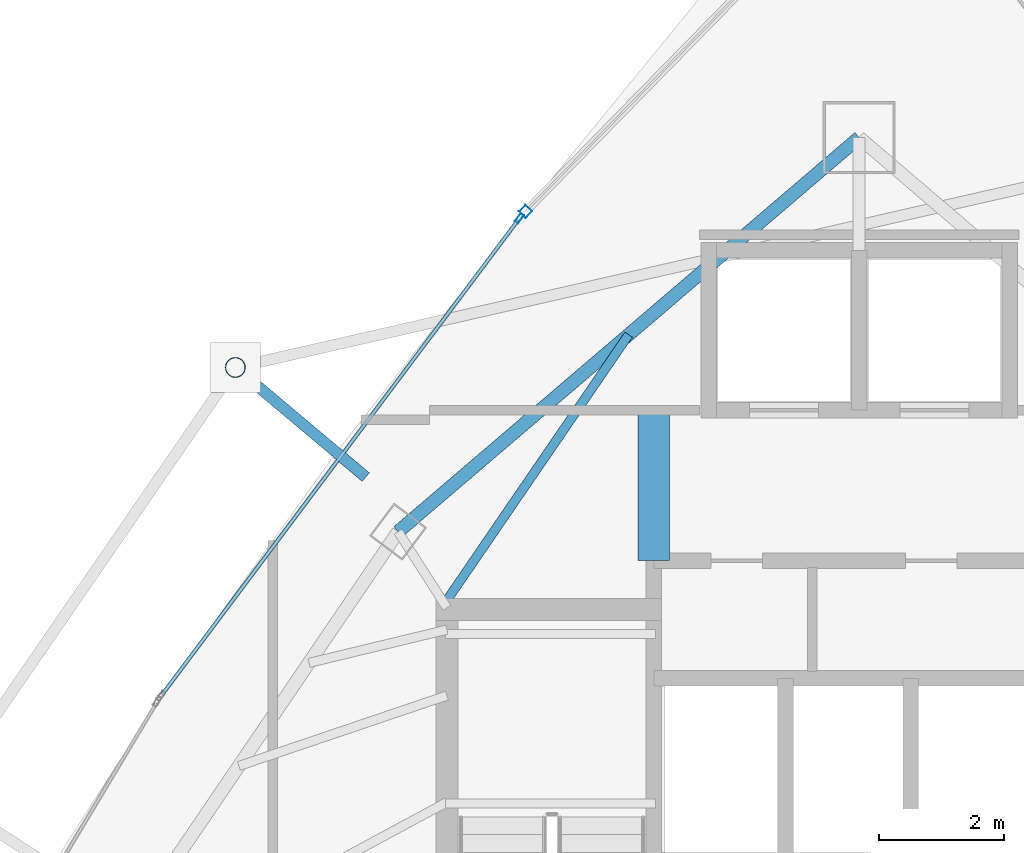
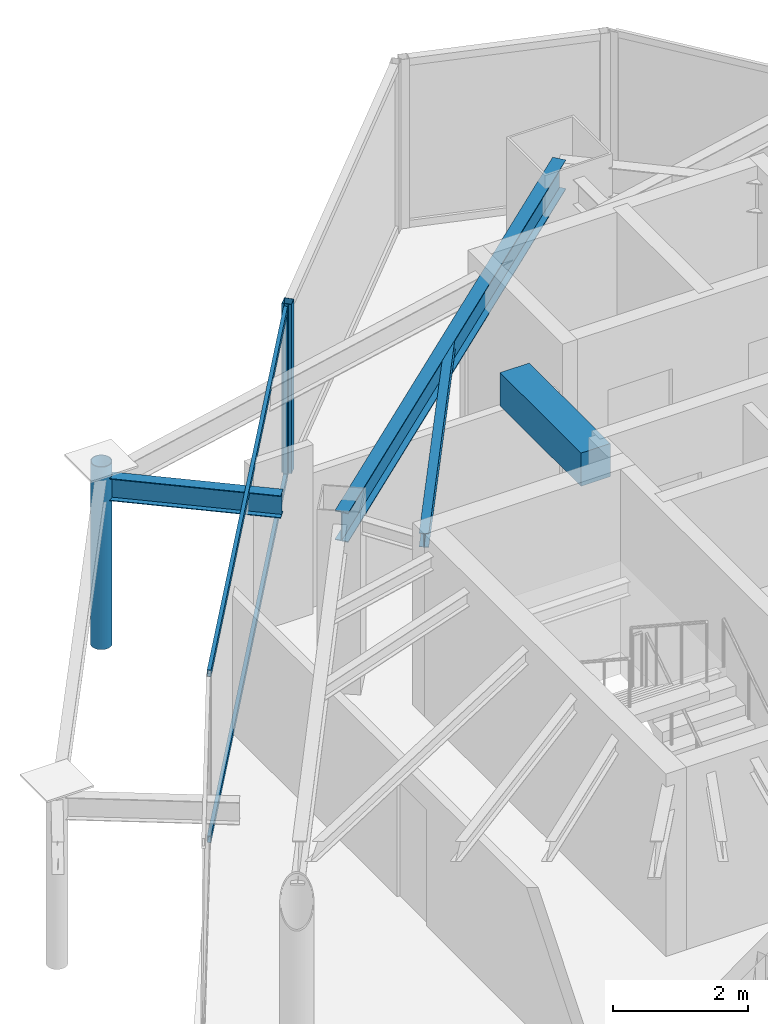
# One storey, part 20 of 29: 5 members, 4 beams, 2 elements without a shape of their own.
"""IFC4 building model written with IfcOpenShell, lengths in metres."""

from ifc_helpers import new_model, si_unit, direction, frame, origin, origin_2d, place, context, subcontext, project, spatial, rectangle, hollow_rectangle, hollow_circle, i_section, extrude, material, layer, layer_set, material_profile, profile_set, type_object, element, aggregate, save


model = new_model("IFC4")

# Units and contexts
model_context = context("Model", 3, precision=1e-05, world=origin(), true_north=direction((0.0, 1.0)))
body_context = subcontext(model_context, "Body", "Model", "MODEL_VIEW")
ifc_project = project(units=[si_unit("LENGTHUNIT", "METRE"), si_unit("AREAUNIT", "SQUARE_METRE"), si_unit("VOLUMEUNIT", "CUBIC_METRE"), si_unit("PLANEANGLEUNIT", "RADIAN"), si_unit("MASSUNIT", "GRAM", prefix="KILO")], contexts=[model_context])

# Site, building, storey
site_placement = place(None, origin())
site = spatial("IfcSite", under=ifc_project, at=site_placement, CompositionType="ELEMENT")
building_placement = place(site_placement, origin())
building = spatial("IfcBuilding", under=site, at=building_placement, Name="Orvanel Arch Residences", CompositionType="ELEMENT")
storey_placement = place(building_placement, frame((0.0, 0.0, 256.85009765625)))
storey = spatial("IfcBuildingStorey", under=building, at=storey_placement, Name="L73", CompositionType="ELEMENT", Elevation=256.85009765625)

# Beams
ifc_material_1 = material(Name="Structural steel AS/NZS 3679.1 Grade 300 (300 MPa)", Category="steel")
ifc_material_profile_1 = material_profile(ifc_material_1, i_section(OverallWidth=0.14599609375, OverallDepth=0.251953125, WebThickness=0.006103515625, FlangeThickness=0.008544921875, at=origin_2d()), Name="250UB31.4")
ifc_profile_set_1 = profile_set([ifc_material_profile_1], Name="Structural steel AS/NZS 3679.1 Grade 300 (300 MPa)")
beam_type_1 = type_object("IfcBeamType", Name="BJ-250UB", PredefinedType="JOIST", material=ifc_profile_set_1)
beam_1_placement = place(storey_placement, frame((26.425048828125, 34.02001953125, 2.933837890625), z_axis=(0.564868085352, 0.825181220188, 0.0), x_axis=(-0.825181220188, 0.564868085352, 0.0)))
element("IfcBeam", 1, at=beam_1_placement, inside=storey, type_object=beam_type_1, Name="L73 NNW2 Wing Floor Joist", PredefinedType="JOIST", context=body_context, shape_type="SweptSolid", body=[
    extrude(i_section(OverallWidth=0.14599609375, OverallDepth=0.251953125, WebThickness=0.006103515625, FlangeThickness=0.008544921875, at=origin_2d()), origin(), (0.0, 0.0, 1.0), 5.132080078125),
])
ifc_material_2 = material(Name="Concrete S65 (65 MPa)", Category="concrete")
ifc_material_profile_2 = material_profile(ifc_material_2, rectangle(XDim=0.5, YDim=0.60009765625, at=origin_2d()), Name="RC500x600")
ifc_profile_set_2 = profile_set([ifc_material_profile_2], Name="Concrete S65 (65 MPa)")
beam_type_2 = type_object("IfcBeamType", Name="CB-500x600", PredefinedType="LINTEL", material=ifc_profile_set_2)
beam_2_placement = place(storey_placement, frame((29.72509765625, 34.64990234375, 2.760009765625), z_axis=(0.0, 1.0, 0.0), x_axis=(-1.0, 0.0, 0.0)))
element("IfcBeam", 2, at=beam_2_placement, inside=storey, type_object=beam_type_2, Name="L73 West Core Lobby Coupling Lintel Beam", PredefinedType="LINTEL", context=body_context, shape_type="SweptSolid", body=[
    extrude(rectangle(XDim=0.5, YDim=0.60009765625, at=origin_2d()), origin(), (0.0, 0.0, 1.0), 2.400146484375),
])

# Curtain wall, member
ifc_material_3 = material(Name="Bronze-anodised aluminium AA6063-T6", Category="aluminium")
ifc_layer_1 = layer(ifc_material_3, 0.18994140625)
ifc_layer_set_1 = layer_set([ifc_layer_1], Name="Bronze-anodised aluminium AA6063-T6")
curtain_wall_type_1 = type_object("IfcCurtainWallType", Name="CW5-CRN-SYS", PredefinedType="NOTDEFINED", material=ifc_layer_set_1)
curtain_wall_1_placement = place(storey_placement, origin())
curtain_wall_1 = element("IfcCurtainWall", 3, at=curtain_wall_1_placement, inside=storey, type_object=curtain_wall_type_1, Name="L73 CW5-CRN-SYS Unitised Curtain Wall", PredefinedType="NOTDEFINED")
ifc_material_profile_3 = material_profile(ifc_material_3, hollow_rectangle(XDim=0.14990234375, YDim=0.14990234375, WallThickness=0.0048828125, at=origin_2d()), Name="ALU150x150x5")
ifc_profile_set_3 = profile_set([ifc_material_profile_3], Name="Bronze-anodised aluminium AA6063-T6")
member_type_1 = type_object("IfcMemberType", Name="MUL-150x150", PredefinedType="MULLION", material=ifc_profile_set_3)
member_1_placement = place(storey_placement, frame((27.679443359375, 40.220703125, 0.0), z_axis=(0.0, 0.0, 1.0), x_axis=(0.714469105473, -0.699666990307, 0.0)))
member_1 = element("IfcMember", 4, at=member_1_placement, type_object=member_type_1, Name="CW-S5 mullion 2", PredefinedType="MULLION", context=body_context, shape_type="SweptSolid", body=[
    extrude(hollow_rectangle(XDim=0.14990234375, YDim=0.14990234375, WallThickness=0.0048828125, at=origin_2d()), origin(), (0.0, 0.0, 1.0), 3.059814453125),
])
aggregate(curtain_wall_1, [member_1])

ifc_layer_2 = layer(ifc_material_3, 0.175048828125)
ifc_layer_set_2 = layer_set([ifc_layer_2], Name="Bronze-anodised aluminium AA6063-T6")
curtain_wall_type_2 = type_object("IfcCurtainWallType", Name="CW4-HI-SYS", PredefinedType="NOTDEFINED", material=ifc_layer_set_2)
curtain_wall_2_placement = place(storey_placement, origin())
curtain_wall_2 = element("IfcCurtainWall", 5, at=curtain_wall_2_placement, inside=storey, type_object=curtain_wall_type_2, Name="L73 CW4-HI-SYS Unitised Curtain Wall", PredefinedType="NOTDEFINED")
ifc_material_profile_4 = material_profile(ifc_material_3, hollow_rectangle(XDim=0.06494140625, YDim=0.159912109375, WallThickness=0.00390625, at=origin_2d()), Name="ALU160x65x4")
ifc_profile_set_4 = profile_set([ifc_material_profile_4], Name="Bronze-anodised aluminium AA6063-T6")
member_type_2 = type_object("IfcMemberType", Name="MUL-160x65", PredefinedType="MULLION", material=ifc_profile_set_4)
member_2_placement = place(storey_placement, frame((27.58154296875, 40.111083984375, 0.0), z_axis=(0.0, 0.0, 1.0), x_axis=(0.79988739913, -0.600150105151, 0.0)))
member_2 = element("IfcMember", 6, at=member_2_placement, type_object=member_type_2, Name="CW-S4 mullion 1", PredefinedType="MULLION", context=body_context, shape_type="SweptSolid", body=[
    extrude(hollow_rectangle(XDim=0.06494140625, YDim=0.159912109375, WallThickness=0.00390625, at=origin_2d()), origin(), (0.0, 0.0, 1.0), 3.059814453125),
])

# Beams
ifc_material_profile_5 = material_profile(ifc_material_1, i_section(OverallWidth=0.177978515625, OverallDepth=0.406005859375, WebThickness=0.0078125, FlangeThickness=0.0126953125, at=origin_2d()), Name="410UB59.7")
ifc_profile_set_5 = profile_set([ifc_material_profile_5], Name="Structural steel AS/NZS 3679.1 Grade 300 (300 MPa)")
beam_type_3 = type_object("IfcBeamType", Name="OB-410UB-EXT", PredefinedType="SPANDREL", material=ifc_profile_set_5)
beam_3_placement = place(storey_placement, frame((25.131103515625, 35.98388671875, 2.85693359375), z_axis=(-0.765414406611, 0.643537711523, 0.0), x_axis=(-0.643537711523, -0.765414406611, 0.0)))
element("IfcBeam", 7, at=beam_3_placement, inside=storey, type_object=beam_type_3, Name="L73 Outer Frame Radial Tie Beam 01", PredefinedType="SPANDREL", context=body_context, shape_type="SweptSolid", body=[
    extrude(i_section(OverallWidth=0.177978515625, OverallDepth=0.406005859375, WebThickness=0.0078125, FlangeThickness=0.0126953125, at=origin_2d()), origin(), (0.0, 0.0, 1.0), 2.71630859375),
])
ifc_material_profile_6 = material_profile(ifc_material_1, i_section(OverallWidth=0.208984375, OverallDepth=0.532958984375, WebThickness=0.01025390625, FlangeThickness=0.015625, at=origin_2d()), Name="530UB92.4")
ifc_profile_set_6 = profile_set([ifc_material_profile_6], Name="Structural steel AS/NZS 3679.1 Grade 300 (300 MPa)")
beam_type_4 = type_object("IfcBeamType", Name="SP-530UB", PredefinedType="SPANDREL", material=ifc_profile_set_6)
beam_4_placement = place(storey_placement, frame((33.0, 41.39794921875, 2.7939453125), z_axis=(-0.760116518398, -0.649786794617, 0.0), x_axis=(0.649786794617, -0.760116518398, 0.0)))
element("IfcBeam", 8, at=beam_4_placement, inside=storey, type_object=beam_type_4, Name="L73 Perimeter Spandrel Beam 10", PredefinedType="SPANDREL", context=body_context, shape_type="SweptSolid", body=[
    extrude(i_section(OverallWidth=0.208984375, OverallDepth=0.532958984375, WebThickness=0.01025390625, FlangeThickness=0.015625, at=origin_2d()), origin(), (0.0, 0.0, 1.0), 9.67236328125),
])

# Member
ifc_material_4 = material(Name="Structural steel AS/NZS 1163 C350L0 (Grade 350)", Category="steel")
ifc_material_profile_7 = material_profile(ifc_material_4, hollow_circle(Radius=0.162109375, WallThickness=0.0126953125, at=origin_2d()), Name="CHS324x12.7")
ifc_profile_set_7 = profile_set([ifc_material_profile_7], Name="Structural steel AS/NZS 1163 C350L0 (Grade 350)")
member_type_3 = type_object("IfcMemberType", Name="ST-324CHS-EXT", PredefinedType="STRUT", material=ifc_profile_set_7)
member_3_placement = place(storey_placement, frame((23.052001953125, 37.73193359375, 0.0), z_axis=(0.0, 0.0, 1.0), x_axis=(1.0, 0.0, 0.0)))
element("IfcMember", 9, at=member_3_placement, inside=storey, type_object=member_type_3, Name="L73 Outer Perimeter Frame Post 01", PredefinedType="STRUT", context=body_context, shape_type="SweptSolid", body=[
    extrude(hollow_circle(Radius=0.162109375, WallThickness=0.0126953125, at=origin_2d()), origin(), (0.0, 0.0, 1.0), 3.2998046875),
])

ifc_material_profile_8 = material_profile(ifc_material_3, hollow_rectangle(XDim=0.06005859375, YDim=0.1201171875, WallThickness=0.00341796875, at=origin_2d()), Name="ALU120x60x3.5")
ifc_profile_set_8 = profile_set([ifc_material_profile_8], Name="Bronze-anodised aluminium AA6063-T6")
member_type_4 = type_object("IfcMemberType", Name="TRN-120x60", PredefinedType="USERDEFINED", material=ifc_profile_set_8)
member_4_placement = place(storey_placement, frame((27.56201171875, 40.0849609375, 0.02978515625), z_axis=(-0.600156858492, -0.7998823321, 0.0), x_axis=(0.7998823321, -0.600156858492, 0.0)))
member_4 = element("IfcMember", 10, at=member_4_placement, type_object=member_type_4, Name="CW-S4 transom 1.1", ObjectType="TRANSOM", PredefinedType="USERDEFINED", context=body_context, shape_type="SweptSolid", body=[
    extrude(hollow_rectangle(XDim=0.06005859375, YDim=0.1201171875, WallThickness=0.00341796875, at=origin_2d()), origin(), (0.0, 0.0, 1.0), 9.46240234375),
])

member_5_placement = place(storey_placement, frame((27.56201171875, 40.0849609375, 3.02978515625), z_axis=(-0.600156858492, -0.7998823321, 0.0), x_axis=(0.7998823321, -0.600156858492, 0.0)))
member_5 = element("IfcMember", 11, at=member_5_placement, type_object=member_type_4, Name="CW-S4 transom 1.2", ObjectType="TRANSOM", PredefinedType="USERDEFINED", context=body_context, shape_type="SweptSolid", body=[
    extrude(hollow_rectangle(XDim=0.06005859375, YDim=0.1201171875, WallThickness=0.00341796875, at=origin_2d()), origin(), (0.0, 0.0, 1.0), 9.46240234375),
])

aggregate(curtain_wall_2, [member_2, member_4, member_5])

save(model, "model.ifc")
